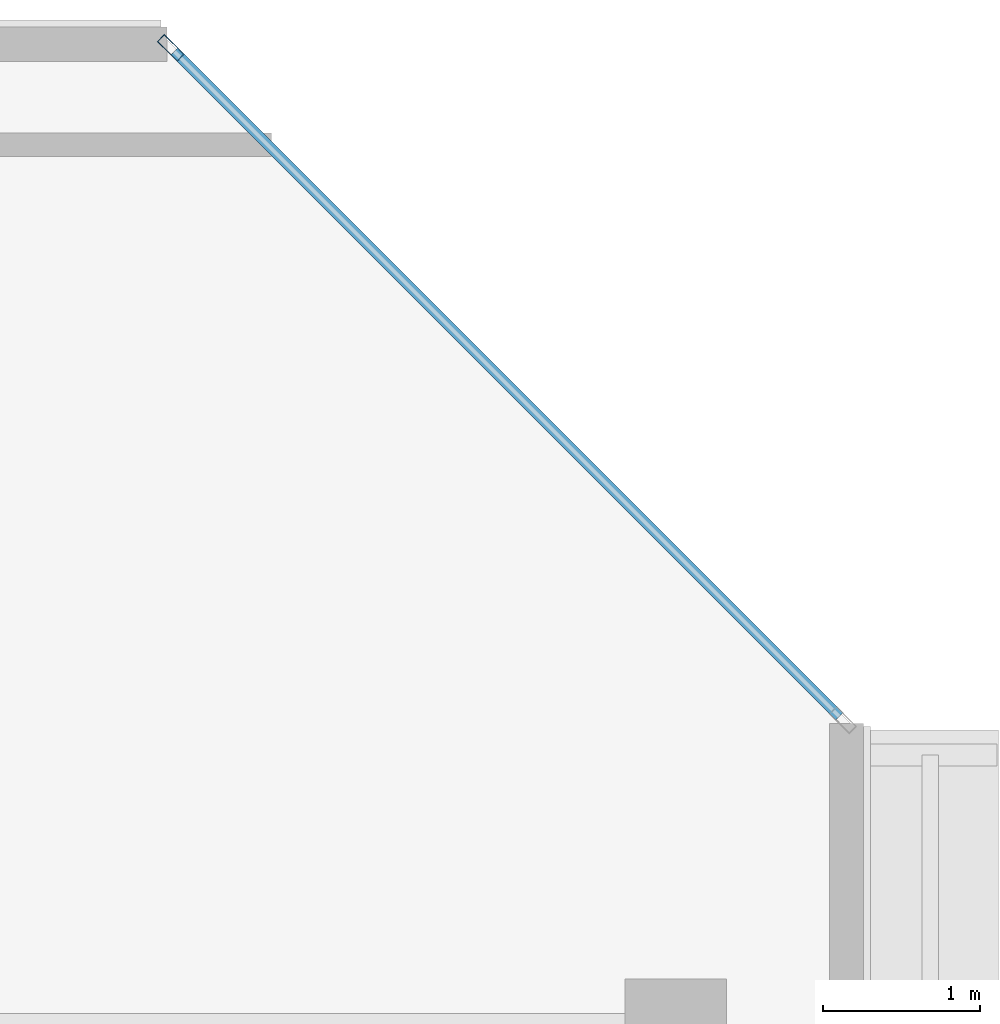
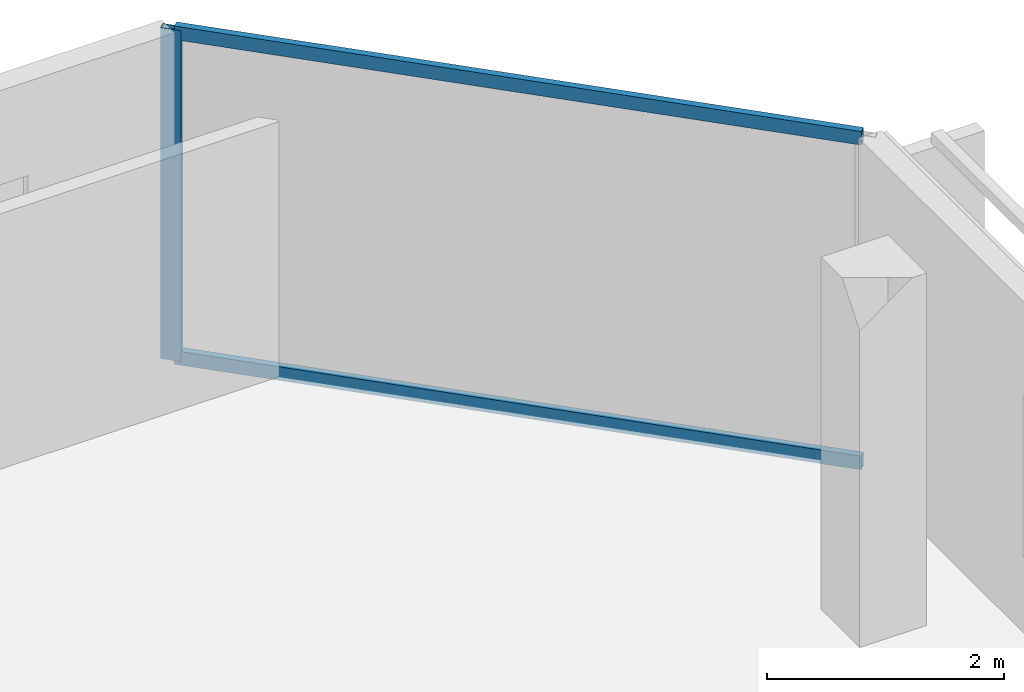
# One storey, part 19 of 28: 3 members, 1 element without a shape of its own.
"""IFC4 building model written with IfcOpenShell, lengths in metres."""

from ifc_helpers import new_model, si_unit, direction, frame, origin, origin_2d, place, context, subcontext, project, spatial, hollow_rectangle, extrude, material, layer, layer_set, material_profile, profile_set, type_object, element, aggregate, save


model = new_model("IFC4")

# Units and contexts
model_context = context("Model", 3, precision=1e-05, world=origin(), true_north=direction((0.0, 1.0)))
body_context = subcontext(model_context, "Body", "Model", "MODEL_VIEW")
ifc_project = project(units=[si_unit("LENGTHUNIT", "METRE"), si_unit("AREAUNIT", "SQUARE_METRE"), si_unit("VOLUMEUNIT", "CUBIC_METRE"), si_unit("PLANEANGLEUNIT", "RADIAN"), si_unit("MASSUNIT", "GRAM", prefix="KILO")], contexts=[model_context])

# Site, building, storey
site_placement = place(None, origin())
site = spatial("IfcSite", under=ifc_project, at=site_placement, CompositionType="ELEMENT")
building_placement = place(site_placement, origin())
building = spatial("IfcBuilding", under=site, at=building_placement, Name="Tanjung Sevakor Pilgrim Tower", CompositionType="ELEMENT")
storey_placement = place(building_placement, frame((0.0, 0.0, 246.179931640625)))
storey = spatial("IfcBuildingStorey", under=building, at=storey_placement, Name="L69", CompositionType="ELEMENT", Elevation=246.179931640625)

# Curtain wall, members
ifc_material_1 = material(Name="Aluminium 6063-T6 and Low-E Glass", Category="aluminium")
ifc_layer = layer(ifc_material_1, 0.179931640625)
ifc_layer_set = layer_set([ifc_layer], Name="CW-SYS-CHAM")
curtain_wall_type = type_object("IfcCurtainWallType", Name="CW-SYS-CHAM", PredefinedType="NOTDEFINED", material=ifc_layer_set)
curtain_wall_placement = place(storey_placement, origin())
curtain_wall = element("IfcCurtainWall", 1, at=curtain_wall_placement, inside=storey, type_object=curtain_wall_type, Name="L69 Curtain Wall CW-CHM-L69-EAST-3", PredefinedType="NOTDEFINED")
ifc_material_2 = material(Name="Aluminium 6063-T6", Category="aluminium")
ifc_material_profile_1 = material_profile(ifc_material_2, hollow_rectangle(XDim=0.06494140625, YDim=0.179931640625, WallThickness=0.00390625, at=origin_2d()))
ifc_profile_set_1 = profile_set([ifc_material_profile_1], Name="Aluminium 6063-T6")
member_type_1 = type_object("IfcMemberType", Name="TYPE-CWM-1", PredefinedType="MULLION", material=ifc_profile_set_1)
member_1_placement = place(storey_placement, frame((94.77734375, 54.866943359375, 0.0), z_axis=(0.0, 0.0, 1.0), x_axis=(-0.707106781187, -0.707106781187, 0.0)))
member_1 = element("IfcMember", 2, at=member_1_placement, type_object=member_type_1, Name="CW-CHM mullion 2", PredefinedType="MULLION", context=body_context, shape_type="SweptSolid", body=[
    extrude(hollow_rectangle(XDim=0.06494140625, YDim=0.179931640625, WallThickness=0.00390625, at=origin_2d()), origin(), (0.0, 0.0, 1.0), 3.41015625),
])
ifc_material_3 = material(Name="Aluminium 6063-T6", Category="aluminium")
ifc_material_profile_2 = material_profile(ifc_material_3, hollow_rectangle(XDim=0.06494140625, YDim=0.139892578125, WallThickness=0.00390625, at=origin_2d()))
ifc_profile_set_2 = profile_set([ifc_material_profile_2], Name="Aluminium 6063-T6")
member_type_2 = type_object("IfcMemberType", Name="TYPE-CWT-1", PredefinedType="USERDEFINED", material=ifc_profile_set_2)
member_2_placement = place(storey_placement, frame((99.0439453125, 50.600341796875, 0.032470703125), z_axis=(-0.707106781187, 0.707106781187, 0.0), x_axis=(-0.707106781187, -0.707106781187, 0.0)))
member_2 = element("IfcMember", 3, at=member_2_placement, type_object=member_type_2, Name="CW-CHM transom 1.1", ObjectType="TRANSOM", PredefinedType="USERDEFINED", context=body_context, shape_type="SweptSolid", body=[
    extrude(hollow_rectangle(XDim=0.06494140625, YDim=0.139892578125, WallThickness=0.00390625, at=origin_2d()), origin(), (0.0, 0.0, 1.0), 6.00146484375),
])
member_3_placement = place(storey_placement, frame((99.0439453125, 50.600341796875, 3.377685546875), z_axis=(-0.707106781187, 0.707106781187, 0.0), x_axis=(-0.707106781187, -0.707106781187, 0.0)))
member_3 = element("IfcMember", 4, at=member_3_placement, type_object=member_type_2, Name="CW-CHM transom 1.2", ObjectType="TRANSOM", PredefinedType="USERDEFINED", context=body_context, shape_type="SweptSolid", body=[
    extrude(hollow_rectangle(XDim=0.06494140625, YDim=0.139892578125, WallThickness=0.00390625, at=origin_2d()), origin(), (0.0, 0.0, 1.0), 6.00146484375),
])
aggregate(curtain_wall, [member_1, member_2, member_3])

save(model, "model.ifc")
